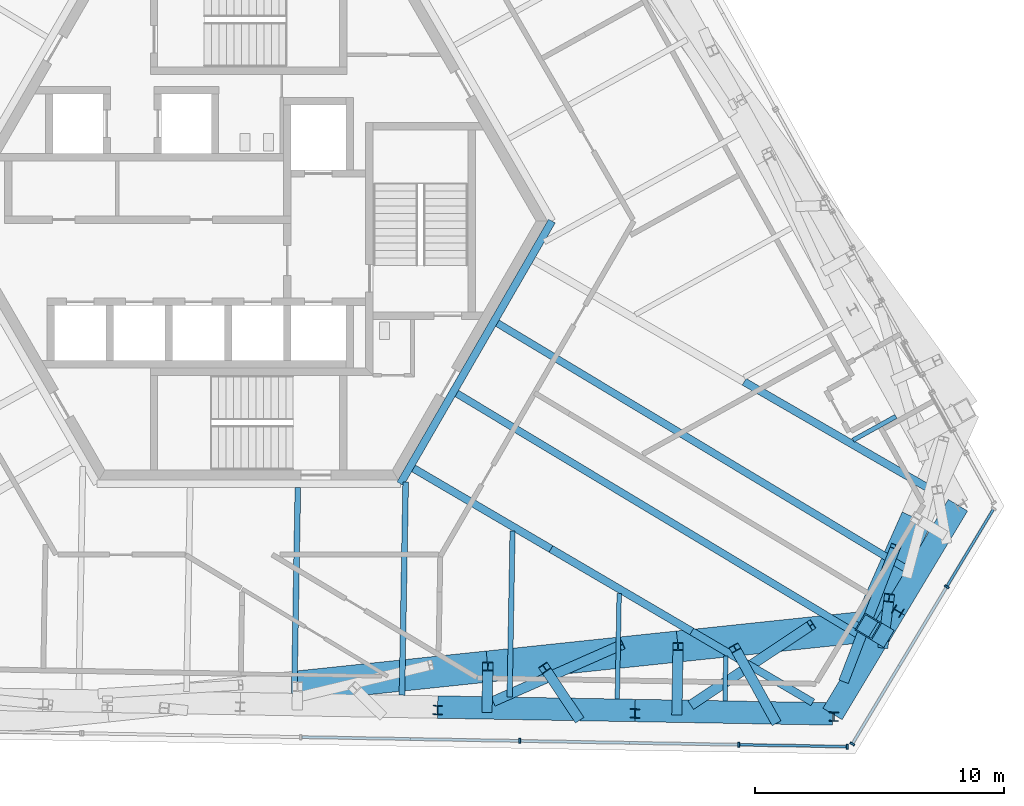
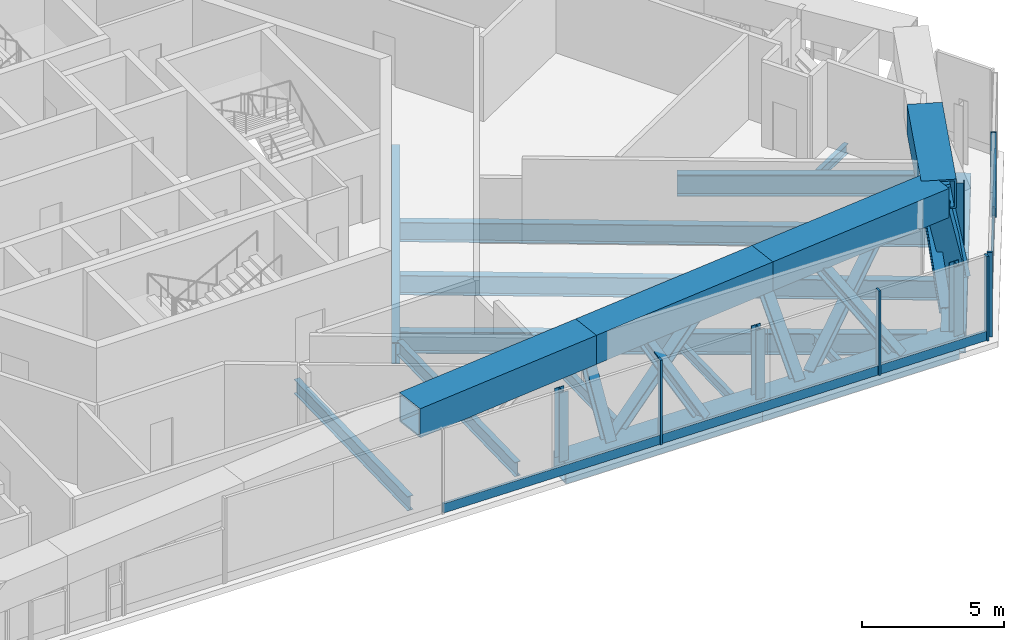
# One storey, part 4 of 28: 31 members, 13 beams, 2 elements without a shape of their own.
"""IFC4 building model written with IfcOpenShell, lengths in metres."""

from ifc_helpers import new_model, si_unit, direction, frame, origin, origin_2d, place, context, subcontext, project, spatial, rectangle, hollow_rectangle, i_section, extrude, source, transform, mapped, material, material_profile, profile_set, type_object, element, aggregate, save


model = new_model("IFC4")

# Units and contexts
model_context = context("Model", 3, precision=1e-05, world=origin(), true_north=direction((0.0, 1.0)))
body_context = subcontext(model_context, "Body", "Model", "MODEL_VIEW")
ifc_project = project(units=[si_unit("LENGTHUNIT", "METRE"), si_unit("AREAUNIT", "SQUARE_METRE"), si_unit("VOLUMEUNIT", "CUBIC_METRE"), si_unit("PLANEANGLEUNIT", "RADIAN"), si_unit("MASSUNIT", "GRAM", prefix="KILO")], contexts=[model_context])

# Site, building, storey
site_placement = place(None, origin())
site = spatial("IfcSite", under=ifc_project, at=site_placement, CompositionType="ELEMENT")
building_placement = place(site_placement, origin())
building = spatial("IfcBuilding", under=site, at=building_placement, Name="Triune Harvest Tower", CompositionType="ELEMENT")
storey_placement = place(building_placement, frame((0.0, 0.0, 215.89990234375)))
storey = spatial("IfcBuildingStorey", under=building, at=storey_placement, Name="L56", CompositionType="ELEMENT", Elevation=215.89990234375)

# Beams
ifc_material_1 = material(Name="Steel ASTM A992 Gr 50", Category="steel")
ifc_material_profile_1 = material_profile(ifc_material_1, i_section(OverallWidth=0.307373046875, OverallDepth=0.922119140625, WebThickness=0.018310546875, FlangeThickness=0.030029296875, at=origin_2d()), Name="W36x182")
ifc_profile_set_1 = profile_set([ifc_material_profile_1], Name="Steel ASTM A992 Gr 50")
beam_type_1 = type_object("IfcBeamType", Name="HG-2 Hip girder W36x182", PredefinedType="BEAM", material=ifc_profile_set_1)
beam_1_placement = place(storey_placement, frame((27.718505859375, -10.969970703125, -0.7109375), z_axis=(-0.866016404628, 0.500015586673, 0.0), x_axis=(-0.500015586673, -0.866016404628, 0.0)))
element("IfcBeam", 1, at=beam_1_placement, inside=storey, type_object=beam_type_1, Name="beam/L56/HG1", PredefinedType="BEAM", context=body_context, shape_type="SweptSolid", body=[
    extrude(i_section(OverallWidth=0.307373046875, OverallDepth=0.922119140625, WebThickness=0.018310546875, FlangeThickness=0.030029296875, at=origin_2d()), origin(), (0.0, 0.0, 1.0), 9.035888671875),
])
beam_2_placement = place(storey_placement, frame((22.6484375, -19.3232421875, -0.7109375), z_axis=(-0.862741007375, 0.50564607602, 0.0), x_axis=(-0.50564607602, -0.862741007375, 0.0)))
element("IfcBeam", 2, at=beam_2_placement, inside=storey, type_object=beam_type_1, Name="beam/L56/HG8", PredefinedType="BEAM", context=body_context, shape_type="SweptSolid", body=[
    extrude(i_section(OverallWidth=0.307373046875, OverallDepth=0.922119140625, WebThickness=0.018310546875, FlangeThickness=0.030029296875, at=origin_2d()), origin(), (0.0, 0.0, 1.0), 5.632080078125),
])

# Member
ifc_material_2 = material(Name="Steel ASTM A992 Gr 50", Category="steel")
ifc_material_profile_2 = material_profile(ifc_material_2, i_section(OverallWidth=0.40380859375, OverallDepth=0.406494140625, WebThickness=0.027099609375, FlangeThickness=0.043701171875, at=origin_2d()), Name="W14x233")
ifc_profile_set_2 = profile_set([ifc_material_profile_2], Name="Steel ASTM A992 Gr 50")
member_type_1 = type_object("IfcMemberType", Name="TD-3 Belt truss diagonal W14x233", PredefinedType="BRACE", material=ifc_profile_set_2)
member_1_placement = place(storey_placement, frame((17.822509765625, -19.388916015625, -0.324951171875), z_axis=(0.750558261675, 0.499231936752, 0.432931598705), x_axis=(-0.553824171358, 0.83263364526, 0.0)))
element("IfcMember", 3, at=member_1_placement, inside=storey, type_object=member_type_1, Name="truss/L56/TD43", PredefinedType="BRACE", context=body_context, shape_type="SweptSolid", body=[
    extrude(i_section(OverallWidth=0.40380859375, OverallDepth=0.406494140625, WebThickness=0.027099609375, FlangeThickness=0.043701171875, at=origin_2d()), origin(), (0.0, 0.0, 1.0), 6.35205078125),
])

# Curtain wall, member
ifc_material_3 = material(Name="Aluminium bronze anodised", Category="aluminium")
curtain_wall_type = type_object("IfcCurtainWallType", Name="CW-5 Plant louvre wall", PredefinedType="NOTDEFINED", material=ifc_material_3)
curtain_wall_1_placement = place(storey_placement, origin())
curtain_wall_1 = element("IfcCurtainWall", 4, at=curtain_wall_1_placement, inside=storey, type_object=curtain_wall_type, Name="CW-5 B5-F5 L56 run 1301")
ifc_material_4 = material(Name="Aluminium bronze anodised", Category="aluminium")
ifc_material_profile_3 = material_profile(ifc_material_4, rectangle(XDim=0.10009765625, YDim=0.39990234375, at=origin_2d()), Name="TR-5 transom 100 x 400")
ifc_profile_set_3 = profile_set([ifc_material_profile_3], Name="Aluminium bronze anodised")
member_type_2 = type_object("IfcMemberType", Name="TR-5 transom 100 x 400", PredefinedType="USERDEFINED", material=ifc_profile_set_3)
member_2_placement = place(storey_placement, frame((19.722412109375, -21.0244140625, 0.2001953125), z_axis=(0.999847456392, -0.017466079903, 0.0), x_axis=(0.017466079903, 0.999847456392, 0.0)))
member_2 = element("IfcMember", 5, at=member_2_placement, type_object=member_type_2, Name="CW-5 transom B5-F5 1301.4", ObjectType="TRANSOM", PredefinedType="USERDEFINED", context=body_context, shape_type="SweptSolid", body=[
    extrude(rectangle(XDim=0.10009765625, YDim=0.39990234375, at=origin_2d()), origin(), (0.0, 0.0, 1.0), 4.27734375),
])

curtain_wall_2_placement = place(storey_placement, origin())
curtain_wall_2 = element("IfcCurtainWall", 6, at=curtain_wall_2_placement, inside=storey, type_object=curtain_wall_type, Name="CW-5 B5-F6 L56 run 1")
member_3_placement = place(storey_placement, frame((24.25634765625, -20.956298828125, 0.2001953125), z_axis=(0.515038138423, 0.85716726254, 0.0), x_axis=(-0.85716726254, 0.515038138423, 0.0)))
member_3 = element("IfcMember", 7, at=member_3_placement, type_object=member_type_2, Name="CW-5 transom B5-F6 1.1", ObjectType="TRANSOM", PredefinedType="USERDEFINED", context=body_context, shape_type="SweptSolid", body=[
    extrude(rectangle(XDim=0.10009765625, YDim=0.39990234375, at=origin_2d()), origin(), (0.0, 0.0, 1.0), 7.280029296875),
])

# Member
ifc_material_5 = material(Name="Steel ASTM A992 Gr 50", Category="steel")
ifc_material_profile_4 = material_profile(ifc_material_5, i_section(OverallWidth=0.411376953125, OverallDepth=0.434326171875, WebThickness=0.035888671875, FlangeThickness=0.057373046875, at=origin_2d()), Name="W14x311")
ifc_profile_set_4 = profile_set([ifc_material_profile_4], Name="Steel ASTM A992 Gr 50")
member_type_3 = type_object("IfcMemberType", Name="TV-1 Belt truss strut W14x311", PredefinedType="STRUT", material=ifc_profile_set_4)
member_4_placement = place(storey_placement, frame((9.572265625, -19.544921875, -0.27490234375), z_axis=(0.009162205954, 0.5243245592, 0.851469207078), x_axis=(-0.999847359332, 0.017471635207, 0.0)))
element("IfcMember", 8, at=member_4_placement, inside=storey, type_object=member_type_3, Name="truss/L56/TS21", PredefinedType="STRUT", context=body_context, shape_type="SweptSolid", body=[
    extrude(i_section(OverallWidth=0.411376953125, OverallDepth=0.434326171875, WebThickness=0.035888671875, FlangeThickness=0.057373046875, at=origin_2d()), origin(), (0.0, 0.0, 1.0), 3.1708984375),
])

# Beams
ifc_material_6 = material(Name="Steel ASTM A992 Gr 50", Category="steel")
ifc_material_profile_5 = material_profile(ifc_material_6, i_section(OverallWidth=0.3046875, OverallDepth=0.914306640625, WebThickness=0.0166015625, FlangeThickness=0.02587890625, at=origin_2d()), Name="W36x160")
ifc_profile_set_5 = profile_set([ifc_material_profile_5], Name="Steel ASTM A992 Gr 50")
beam_type_2 = type_object("IfcBeamType", Name="CG-1 Core ring girder W36x160", PredefinedType="BEAM", material=ifc_profile_set_5)
shared_shape_1 = source(origin(), body_context, "Body", "SweptSolid", [
    extrude(i_section(OverallWidth=0.3046875, OverallDepth=0.914306640625, WebThickness=0.0166015625, FlangeThickness=0.02587890625, at=origin_2d()), origin(), (0.0, 0.0, 1.0), 12.176025390625),
])
beam_3_placement = place(storey_placement, frame((6.087890625, -10.544677734375, -0.70703125), z_axis=(0.5000099932, 0.866019634131, 0.0), x_axis=(-0.866019634131, 0.5000099932, 0.0)))
element("IfcBeam", 9, at=beam_3_placement, inside=storey, type_object=beam_type_2, Name="beam/L56/CG6", PredefinedType="BEAM", context=body_context, shape_type="MappedRepresentation", body=[
    mapped(shared_shape_1, transform((0.0, 0.0, 0.0), scale=1.0)),
])
shared_shape_2 = source(origin(), body_context, "Body", "SweptSolid", [
    extrude(i_section(OverallWidth=0.307373046875, OverallDepth=0.922119140625, WebThickness=0.018310546875, FlangeThickness=0.030029296875, at=origin_2d()), origin(), (0.0, 0.0, 1.0), 6.549560546875),
])
beam_4_placement = place(storey_placement, frame((17.789306640625, -16.475341796875, -0.7109375), z_axis=(-0.862742829324, 0.50564296737, 0.0), x_axis=(-0.50564296737, -0.862742829324, 0.0)))
element("IfcBeam", 10, at=beam_4_placement, inside=storey, type_object=beam_type_1, Name="beam/L56/HG9", PredefinedType="BEAM", context=body_context, shape_type="MappedRepresentation", body=[
    mapped(shared_shape_2, transform((0.0, 0.0, 0.0), scale=1.0)),
])
shared_shape_3 = source(origin(), body_context, "Body", "SweptSolid", [
    extrude(i_section(OverallWidth=0.307373046875, OverallDepth=0.922119140625, WebThickness=0.018310546875, FlangeThickness=0.030029296875, at=origin_2d()), origin(), (0.0, 0.0, 1.0), 6.397216796875),
])
beam_5_placement = place(storey_placement, frame((12.138671875, -13.16357421875, -0.7109375), z_axis=(-0.862754230068, 0.505623514583, 0.0), x_axis=(-0.505623514583, -0.862754230068, 0.0)))
element("IfcBeam", 11, at=beam_5_placement, inside=storey, type_object=beam_type_1, Name="beam/L56/HG10", PredefinedType="BEAM", context=body_context, shape_type="MappedRepresentation", body=[
    mapped(shared_shape_3, transform((0.0, 0.0, 0.0), scale=1.0)),
])
ifc_material_7 = material(Name="Steel ASTM A992 Gr 50", Category="steel")
ifc_material_profile_6 = material_profile(ifc_material_7, i_section(OverallWidth=0.180908203125, OverallDepth=0.41650390625, WebThickness=0.010986328125, FlangeThickness=0.01806640625, at=origin_2d()), Name="W16x57")
ifc_profile_set_6 = profile_set([ifc_material_profile_6], Name="Steel ASTM A992 Gr 50")
beam_type_3 = type_object("IfcBeamType", Name="JT-1 Floor joist W16x57", PredefinedType="JOIST", material=ifc_profile_set_6)
shared_shape_4 = source(origin(), body_context, "Body", "SweptSolid", [
    extrude(i_section(OverallWidth=0.180908203125, OverallDepth=0.41650390625, WebThickness=0.010986328125, FlangeThickness=0.01806640625, at=origin_2d()), origin(), (0.0, 0.0, 1.0), 1.96875),
])
beam_6_placement = place(storey_placement, frame((25.9853515625, -7.84326171875, -0.458251953125), z_axis=(-0.874648192243, -0.484758228198, 0.0), x_axis=(0.484758228198, -0.874648192243, 0.0)))
element("IfcBeam", 12, at=beam_6_placement, inside=storey, type_object=beam_type_3, Name="beam/L56/JT1", PredefinedType="JOIST", context=body_context, shape_type="MappedRepresentation", body=[
    mapped(shared_shape_4, transform((0.0, 0.0, 0.0), scale=1.0)),
])
ifc_material_8 = material(Name="Steel ASTM A992 Gr 50", Category="steel")
ifc_material_profile_7 = material_profile(ifc_material_8, i_section(OverallWidth=0.22900390625, OverallDepth=0.612060546875, WebThickness=0.011962890625, FlangeThickness=0.01953125, at=origin_2d()), Name="W24x84")
ifc_profile_set_7 = profile_set([ifc_material_profile_7], Name="Steel ASTM A992 Gr 50")
beam_type_4 = type_object("IfcBeamType", Name="JT-3 Floor joist W24x84", PredefinedType="JOIST", material=ifc_profile_set_7)
shared_shape_5 = source(origin(), body_context, "Body", "SweptSolid", [
    extrude(i_section(OverallWidth=0.22900390625, OverallDepth=0.612060546875, WebThickness=0.011962890625, FlangeThickness=0.01953125, at=origin_2d()), origin(), (0.0, 0.0, 1.0), 8.263916015625),
])
beam_7_placement = place(storey_placement, frame((1.831298828125, -18.959716796875, -0.555908203125), z_axis=(0.017459813007, 0.999847565847, 0.0), x_axis=(-0.999847565847, 0.017459813007, 0.0)))
element("IfcBeam", 13, at=beam_7_placement, inside=storey, type_object=beam_type_4, Name="beam/L56/JT30", PredefinedType="JOIST", context=body_context, shape_type="MappedRepresentation", body=[
    mapped(shared_shape_5, transform((0.0, 0.0, 0.0), scale=1.0)),
])
shared_shape_6 = source(origin(), body_context, "Body", "SweptSolid", [
    extrude(i_section(OverallWidth=0.22900390625, OverallDepth=0.612060546875, WebThickness=0.011962890625, FlangeThickness=0.01953125, at=origin_2d()), origin(), (0.0, 0.0, 1.0), 8.561279296875),
])
beam_8_placement = place(storey_placement, frame((6.154541015625, -19.035400390625, -0.555908203125), z_axis=(0.017480643852, 0.999847201872, 0.0), x_axis=(-0.999847201872, 0.017480643852, 0.0)))
element("IfcBeam", 14, at=beam_8_placement, inside=storey, type_object=beam_type_4, Name="beam/L56/JT31", PredefinedType="JOIST", context=body_context, shape_type="MappedRepresentation", body=[
    mapped(shared_shape_6, transform((0.0, 0.0, 0.0), scale=1.0)),
])
shared_shape_7 = source(origin(), body_context, "Body", "SweptSolid", [
    extrude(i_section(OverallWidth=0.180908203125, OverallDepth=0.41650390625, WebThickness=0.010986328125, FlangeThickness=0.01806640625, at=origin_2d()), origin(), (0.0, 0.0, 1.0), 1.807373046875),
])
beam_9_placement = place(storey_placement, frame((19.12451171875, -19.26171875, -0.458251953125), z_axis=(0.017425076218, 0.999848171834, 0.0), x_axis=(-0.999848171834, 0.017425076218, 0.0)))
element("IfcBeam", 15, at=beam_9_placement, inside=storey, type_object=beam_type_3, Name="beam/L56/JT34", PredefinedType="JOIST", context=body_context, shape_type="MappedRepresentation", body=[
    mapped(shared_shape_7, transform((0.0, 0.0, 0.0), scale=1.0)),
])
ifc_material_9 = material(Name="Steel ASTM A992 Gr 50", Category="steel")
ifc_material_profile_8 = material_profile(ifc_material_9, i_section(OverallWidth=0.2919921875, OverallDepth=0.8408203125, WebThickness=0.0146484375, FlangeThickness=0.021728515625, at=origin_2d()), Name="W33x130")
ifc_profile_set_8 = profile_set([ifc_material_profile_8], Name="Steel ASTM A992 Gr 50")
beam_type_5 = type_object("IfcBeamType", Name="JT-6 Floor joist W33x130", PredefinedType="JOIST", material=ifc_profile_set_8)
shared_shape_8 = source(origin(), body_context, "Body", "SweptSolid", [
    extrude(i_section(OverallWidth=0.2919921875, OverallDepth=0.8408203125, WebThickness=0.0146484375, FlangeThickness=0.021728515625, at=origin_2d()), origin(), (0.0, 0.0, 1.0), 19.10595703125),
])
beam_10_placement = place(storey_placement, frame((24.732666015625, -16.761962890625, -0.67041015625), z_axis=(-0.857165779386, 0.515040606797, 0.0), x_axis=(-0.515040606797, -0.857165779386, 0.0)))
element("IfcBeam", 16, at=beam_10_placement, inside=storey, type_object=beam_type_5, Name="beam/L56/JT35", PredefinedType="JOIST", context=body_context, shape_type="MappedRepresentation", body=[
    mapped(shared_shape_8, transform((0.0, 0.0, 0.0), scale=1.0)),
])
ifc_material_10 = material(Name="Steel ASTM A992 Gr 50", Category="steel")
ifc_material_profile_9 = material_profile(ifc_material_10, i_section(OverallWidth=0.2099609375, OverallDepth=0.535888671875, WebThickness=0.010986328125, FlangeThickness=0.017333984375, at=origin_2d()), Name="W21x68")
ifc_profile_set_9 = profile_set([ifc_material_profile_9], Name="Steel ASTM A992 Gr 50")
beam_type_6 = type_object("IfcBeamType", Name="JT-2 Floor joist W21x68", PredefinedType="JOIST", material=ifc_profile_set_9)
shared_shape_9 = source(origin(), body_context, "Body", "SweptSolid", [
    extrude(i_section(OverallWidth=0.2099609375, OverallDepth=0.535888671875, WebThickness=0.010986328125, FlangeThickness=0.017333984375, at=origin_2d()), origin(), (0.0, 0.0, 1.0), 6.675048828125),
])
beam_11_placement = place(storey_placement, frame((10.477783203125, -19.11083984375, -0.517822265625), z_axis=(0.017482786867, 0.999847164402, 0.0), x_axis=(-0.999847164402, 0.017482786867, 0.0)))
element("IfcBeam", 17, at=beam_11_placement, inside=storey, type_object=beam_type_6, Name="beam/L56/JT32", PredefinedType="JOIST", context=body_context, shape_type="MappedRepresentation", body=[
    mapped(shared_shape_9, transform((0.0, 0.0, 0.0), scale=1.0)),
])
shared_shape_10 = source(origin(), body_context, "Body", "SweptSolid", [
    extrude(i_section(OverallWidth=0.180908203125, OverallDepth=0.41650390625, WebThickness=0.010986328125, FlangeThickness=0.01806640625, at=origin_2d()), origin(), (0.0, 0.0, 1.0), 4.241455078125),
])
beam_12_placement = place(storey_placement, frame((14.80126953125, -19.186279296875, -0.458251953125), z_axis=(0.01744121536, 0.999847890435, 0.0), x_axis=(-0.999847890435, 0.01744121536, 0.0)))
element("IfcBeam", 18, at=beam_12_placement, inside=storey, type_object=beam_type_3, Name="beam/L56/JT33", PredefinedType="JOIST", context=body_context, shape_type="MappedRepresentation", body=[
    mapped(shared_shape_10, transform((0.0, 0.0, 0.0), scale=1.0)),
])
shared_shape_11 = source(origin(), body_context, "Body", "SweptSolid", [
    extrude(i_section(OverallWidth=0.2919921875, OverallDepth=0.8408203125, WebThickness=0.0146484375, FlangeThickness=0.021728515625, at=origin_2d()), origin(), (0.0, 0.0, 1.0), 19.16259765625),
])
beam_13_placement = place(storey_placement, frame((26.4111328125, -13.968505859375, -0.67041015625), z_axis=(-0.85716337241, 0.515044612629, 0.0), x_axis=(-0.515044612629, -0.85716337241, 0.0)))
element("IfcBeam", 19, at=beam_13_placement, inside=storey, type_object=beam_type_5, Name="beam/L56/JT36", PredefinedType="JOIST", context=body_context, shape_type="MappedRepresentation", body=[
    mapped(shared_shape_11, transform((0.0, 0.0, 0.0), scale=1.0)),
])

# Members
ifc_material_11 = material(Name="Steel ASTM A992 Gr 50", Category="steel")
ifc_material_profile_10 = material_profile(ifc_material_11, i_section(OverallWidth=0.370849609375, OverallDepth=0.36328125, WebThickness=0.013427734375, FlangeThickness=0.021728515625, at=origin_2d()), Name="W14x109")
ifc_profile_set_10 = profile_set([ifc_material_profile_10], Name="Steel ASTM A992 Gr 50")
member_type_4 = type_object("IfcMemberType", Name="WP-5 Roof edge post W14x109", PredefinedType="POST", material=ifc_profile_set_10)
shared_shape_12 = source(origin(), body_context, "Body", "SweptSolid", [
    extrude(i_section(OverallWidth=0.370849609375, OverallDepth=0.36328125, WebThickness=0.013427734375, FlangeThickness=0.021728515625, at=origin_2d()), origin(), (0.0, 0.0, 1.0), 2.9755859375),
])
for number, where, z_axis, x_axis, name in (
    (20, (7.585693359375, -19.63037109375, -0.25), (0.0, 0.0, 1.0), (0.999847695156, -0.017452406437, 0.0), "post/L56/W20"),
    (21, (15.51171875, -19.768798828125, -0.25), (0.0, 0.0, 1.0), (0.999847695156, -0.017452406437, 0.0), "post/L56/W21"),
    (22, (23.498046875, -19.89208984375, -0.25), (0.0, 0.0, 1.0), (0.999847695156, -0.017452406437, 0.0), "post/L56/W22"),
    (23, (26.060546875, -15.65869140625, -0.25), (0.0, 0.0, 1.0), (0.515039570948, 0.85716640179, 0.0), "post/L56/W23"),
):
    element("IfcMember", number, at=place(storey_placement, frame(where, z_axis=z_axis, x_axis=x_axis)), inside=storey, type_object=member_type_4, Name=name, PredefinedType="POST", context=body_context, shape_type="MappedRepresentation", body=[
        mapped(shared_shape_12, transform((0.0, 0.0, 0.0), scale=1.0)),
    ])
ifc_material_12 = material(Name="Steel ASTM A572 Gr 50", Category="steel")
ifc_material_profile_11 = material_profile(ifc_material_12, hollow_rectangle(XDim=0.89990234375, YDim=0.89990234375, WallThickness=0.050048828125, at=origin_2d()), Name="Box 900x900x50")
ifc_profile_set_11 = profile_set([ifc_material_profile_11], Name="Steel ASTM A572 Gr 50")
member_type_5 = type_object("IfcMemberType", Name="TC-2 Belt truss chord Box 900x900x50", PredefinedType="CHORD", material=ifc_profile_set_11)
shared_shape_13 = source(origin(), body_context, "Body", "SweptSolid", [
    extrude(hollow_rectangle(XDim=0.89990234375, YDim=0.89990234375, WallThickness=0.050048828125, at=origin_2d()), origin(), (0.0, 0.0, 1.0), 7.92724609375),
])
for number, where, z_axis, x_axis, name in (
    (24, (7.587890625, -19.510498046875, -0.699951171875), (0.999848059671, -0.017431510912, 0.0), (0.017431510912, 0.999848059671, 0.0), "truss/L56/TCB21"),
    (25, (15.513916015625, -19.648681640625, -0.699951171875), (0.999847522428, -0.017462299252, 0.0), (0.017462299252, 0.999847522428, 0.0), "truss/L56/TCB22"),
):
    element("IfcMember", number, at=place(storey_placement, frame(where, z_axis=z_axis, x_axis=x_axis)), inside=storey, type_object=member_type_5, Name=name, PredefinedType="CHORD", context=body_context, shape_type="MappedRepresentation", body=[
        mapped(shared_shape_13, transform((0.0, 0.0, 0.0), scale=1.0)),
    ])
shared_shape_14 = source(origin(), body_context, "Body", "SweptSolid", [
    extrude(hollow_rectangle(XDim=0.89990234375, YDim=0.89990234375, WallThickness=0.050048828125, at=origin_2d()), origin(), (0.0, 0.0, 1.0), 4.888427734375),
])
for number, where, z_axis, x_axis, name in (
    (26, (23.43994140625, -19.787109375, -0.699951171875), (0.515017128942, 0.857179885961, 0.0), (-0.857179885961, 0.515017128942, 0.0), "truss/L56/TCB23"),
    (27, (25.95751953125, -15.596923828125, -0.699951171875), (0.515053823863, 0.85715783758, 0.0), (-0.85715783758, 0.515053823863, 0.0), "truss/L56/TCB24"),
):
    element("IfcMember", number, at=place(storey_placement, frame(where, z_axis=z_axis, x_axis=x_axis)), inside=storey, type_object=member_type_5, Name=name, PredefinedType="CHORD", context=body_context, shape_type="MappedRepresentation", body=[
        mapped(shared_shape_14, transform((0.0, 0.0, 0.0), scale=1.0)),
    ])
ifc_material_13 = material(Name="Steel ASTM A572 Gr 50", Category="steel")
ifc_material_profile_12 = material_profile(ifc_material_13, hollow_rectangle(XDim=1.25, YDim=1.25, WallThickness=0.070068359375, at=origin_2d()), Name="Box 1250x1250x70")
ifc_profile_set_12 = profile_set([ifc_material_profile_12], Name="Steel ASTM A572 Gr 50")
member_type_6 = type_object("IfcMemberType", Name="TC-1 Belt truss chord Box 1250x1250x70", PredefinedType="CHORD", material=ifc_profile_set_12)
shared_shape_15 = source(origin(), body_context, "Body", "SweptSolid", [
    extrude(hollow_rectangle(XDim=1.25, YDim=1.25, WallThickness=0.070068359375, at=origin_2d()), origin(), (0.0, 0.0, 1.0), 7.679443359375),
])
for number, where, z_axis, x_axis, name in (
    (28, (1.9638671875, -18.68505859375, 3.01513671875), (0.994521815363, 0.104529224464, 0.0), (-0.104529224464, 0.994521815363, 0.0), "truss/L56/TCT20"),
    (29, (17.238525390625, -17.07958984375, 3.01513671875), (0.994521815363, 0.104529224464, 0.0), (-0.104529224464, 0.994521815363, 0.0), "truss/L56/TCT22"),
):
    element("IfcMember", number, at=place(storey_placement, frame(where, z_axis=z_axis, x_axis=x_axis)), inside=storey, type_object=member_type_6, Name=name, PredefinedType="CHORD", context=body_context, shape_type="MappedRepresentation", body=[
        mapped(shared_shape_15, transform((0.0, 0.0, 0.0), scale=1.0)),
    ])
shared_shape_16 = source(origin(), body_context, "Body", "SweptSolid", [
    extrude(hollow_rectangle(XDim=1.25, YDim=1.25, WallThickness=0.070068359375, at=origin_2d()), origin(), (0.0, 0.0, 1.0), 4.751708984375),
])
member_5_placement = place(storey_placement, frame((24.8759765625, -16.27685546875, 3.01513671875), z_axis=(0.406729523831, 0.913548627301, 0.0), x_axis=(-0.913548627301, 0.406729523831, 0.0)))
element("IfcMember", 30, at=member_5_placement, inside=storey, type_object=member_type_6, Name="truss/L56/TCT23", PredefinedType="CHORD", context=body_context, shape_type="MappedRepresentation", body=[
    mapped(shared_shape_16, transform((0.0, 0.0, 0.0), scale=1.0)),
])
shared_shape_17 = source(origin(), body_context, "Body", "SweptSolid", [
    extrude(hollow_rectangle(XDim=1.25, YDim=1.25, WallThickness=0.070068359375, at=origin_2d()), origin(), (0.0, 0.0, 1.0), 7.67919921875),
])
member_6_placement = place(storey_placement, frame((9.601318359375, -17.88232421875, 3.01513671875), z_axis=(0.994521467985, 0.104532529465, 0.0), x_axis=(-0.104532529465, 0.994521467985, 0.0)))
element("IfcMember", 31, at=member_6_placement, inside=storey, type_object=member_type_6, Name="truss/L56/TCT21", PredefinedType="CHORD", context=body_context, shape_type="MappedRepresentation", body=[
    mapped(shared_shape_17, transform((0.0, 0.0, 0.0), scale=1.0)),
])
ifc_material_14 = material(Name="Steel ASTM A572 Gr 50", Category="steel")
ifc_material_profile_13 = material_profile(ifc_material_14, hollow_rectangle(XDim=0.800048828125, YDim=0.800048828125, WallThickness=0.050048828125, at=origin_2d()), Name="Box 800x800x50")
ifc_profile_set_13 = profile_set([ifc_material_profile_13], Name="Steel ASTM A572 Gr 50")
member_type_7 = type_object("IfcMemberType", Name="TS-2 Belt truss raked strut Box 800x800x50", PredefinedType="STRUT", material=ifc_profile_set_13)
shared_shape_18 = source(origin(), body_context, "Body", "SweptSolid", [
    extrude(hollow_rectangle(XDim=0.800048828125, YDim=0.800048828125, WallThickness=0.050048828125, at=origin_2d()), origin(), (0.0, 0.0, 1.0), 2.760986328125),
])
member_7_placement = place(storey_placement, frame((25.37060546875, -16.573974609375, -0.27490234375), z_axis=(-0.179153717135, 0.107616028506, 0.97791755074), x_axis=(-0.514931248863, -0.857231479208, 0.0)))
element("IfcMember", 32, at=member_7_placement, inside=storey, type_object=member_type_7, Name="truss/L56/TS23", PredefinedType="STRUT", context=body_context, shape_type="MappedRepresentation", body=[
    mapped(shared_shape_18, transform((0.0, 0.0, 0.0), scale=1.0)),
])
shared_shape_19 = source(origin(), body_context, "Body", "SweptSolid", [
    extrude(i_section(OverallWidth=0.411376953125, OverallDepth=0.434326171875, WebThickness=0.035888671875, FlangeThickness=0.057373046875, at=origin_2d()), origin(), (0.0, 0.0, 1.0), 3.74755859375),
])
member_8_placement = place(storey_placement, frame((17.193115234375, -19.677978515625, -0.27490234375), z_axis=(0.012117597462, 0.693374138633, 0.720475861988), x_axis=(-0.999847324869, 0.017473607294, 0.0)))
element("IfcMember", 33, at=member_8_placement, inside=storey, type_object=member_type_3, Name="truss/L56/TS22", PredefinedType="STRUT", context=body_context, shape_type="MappedRepresentation", body=[
    mapped(shared_shape_19, transform((0.0, 0.0, 0.0), scale=1.0)),
])
shared_shape_20 = source(origin(), body_context, "Body", "SweptSolid", [
    extrude(i_section(OverallWidth=0.40380859375, OverallDepth=0.406494140625, WebThickness=0.027099609375, FlangeThickness=0.043701171875, at=origin_2d()), origin(), (0.0, 0.0, 1.0), 6.172607421875),
])
member_9_placement = place(storey_placement, frame((9.896484375, -19.25048828125, -0.324951171875), z_axis=(0.819139225988, 0.361275600685, 0.445523140586), x_axis=(-0.403537960374, 0.914962903367, 0.0)))
element("IfcMember", 34, at=member_9_placement, inside=storey, type_object=member_type_1, Name="truss/L56/TD41", PredefinedType="BRACE", context=body_context, shape_type="MappedRepresentation", body=[
    mapped(shared_shape_20, transform((0.0, 0.0, 0.0), scale=1.0)),
])
shared_shape_21 = source(origin(), body_context, "Body", "SweptSolid", [
    extrude(i_section(OverallWidth=0.40380859375, OverallDepth=0.406494140625, WebThickness=0.027099609375, FlangeThickness=0.043701171875, at=origin_2d()), origin(), (0.0, 0.0, 1.0), 3.62890625),
])
member_10_placement = place(storey_placement, frame((13.205078125, -19.908447265625, -0.324951171875), z_axis=(-0.363165185035, 0.542056668364, 0.75781634758), x_axis=(-0.830779037318, -0.55660236359, 0.0)))
element("IfcMember", 35, at=member_10_placement, inside=storey, type_object=member_type_1, Name="truss/L56/TD42", PredefinedType="BRACE", context=body_context, shape_type="MappedRepresentation", body=[
    mapped(shared_shape_21, transform((0.0, 0.0, 0.0), scale=1.0)),
])
shared_shape_22 = source(origin(), body_context, "Body", "SweptSolid", [
    extrude(i_section(OverallWidth=0.40380859375, OverallDepth=0.406494140625, WebThickness=0.027099609375, FlangeThickness=0.043701171875, at=origin_2d()), origin(), (0.0, 0.0, 1.0), 4.312744140625),
])
member_11_placement = place(storey_placement, frame((21.131103515625, -20.046875, -0.324951171875), z_axis=(-0.372477457743, 0.674308735051, 0.637627064441), x_axis=(-0.875333208175, -0.483520190547, 0.0)))
element("IfcMember", 36, at=member_11_placement, inside=storey, type_object=member_type_1, Name="truss/L56/TD44", PredefinedType="BRACE", context=body_context, shape_type="MappedRepresentation", body=[
    mapped(shared_shape_22, transform((0.0, 0.0, 0.0), scale=1.0)),
])
shared_shape_23 = source(origin(), body_context, "Body", "SweptSolid", [
    extrude(i_section(OverallWidth=0.40380859375, OverallDepth=0.406494140625, WebThickness=0.027099609375, FlangeThickness=0.043701171875, at=origin_2d()), origin(), (0.0, 0.0, 1.0), 6.337158203125),
])
member_12_placement = place(storey_placement, frame((23.9169921875, -18.41064453125, -0.324951171875), z_axis=(0.32422620658, 0.840576473547, 0.433945341126), x_axis=(-0.933000222611, 0.359875790526, 0.0)))
element("IfcMember", 37, at=member_12_placement, inside=storey, type_object=member_type_1, Name="truss/L56/TD45", PredefinedType="BRACE", context=body_context, shape_type="MappedRepresentation", body=[
    mapped(shared_shape_23, transform((0.0, 0.0, 0.0), scale=1.0)),
])
shared_shape_24 = source(origin(), body_context, "Body", "SweptSolid", [
    extrude(i_section(OverallWidth=0.40380859375, OverallDepth=0.406494140625, WebThickness=0.027099609375, FlangeThickness=0.043701171875, at=origin_2d()), origin(), (0.0, 0.0, 1.0), 3.3193359375),
])
member_13_placement = place(storey_placement, frame((25.480712890625, -16.973388671875, -0.324951171875), z_axis=(0.069948216874, 0.555613911953, 0.828492865268), x_axis=(-0.992168376654, 0.124907615329, 0.0)))
element("IfcMember", 38, at=member_13_placement, inside=storey, type_object=member_type_1, Name="truss/L56/TD46", PredefinedType="BRACE", context=body_context, shape_type="MappedRepresentation", body=[
    mapped(shared_shape_24, transform((0.0, 0.0, 0.0), scale=1.0)),
])

# Member
ifc_material_15 = material(Name="Aluminium bronze anodised", Category="aluminium")
ifc_material_profile_14 = material_profile(ifc_material_15, rectangle(XDim=0.199951171875, YDim=0.080078125, at=origin_2d()), Name="MU-5 mullion 80 x 200")
ifc_profile_set_14 = profile_set([ifc_material_profile_14], Name="Aluminium bronze anodised")
member_type_8 = type_object("IfcMemberType", Name="MU-5 mullion 80 x 200", PredefinedType="MULLION", material=ifc_profile_set_14)
shared_shape_25 = source(origin(), body_context, "Body", "SweptSolid", [
    extrude(rectangle(XDim=0.199951171875, YDim=0.080078125, at=origin_2d()), origin(), (0.0, 0.0, 1.0), 3.64013671875),
])
member_14_placement = place(storey_placement, frame((10.8896484375, -20.870361328125, 0.0), z_axis=(0.0, 0.0, 1.0), x_axis=(0.017449877038, 0.999847739304, 0.0)))
member_14 = element("IfcMember", 39, at=member_14_placement, type_object=member_type_8, Name="CW-5 mullion B5-F5 1301.5", PredefinedType="MULLION", context=body_context, shape_type="MappedRepresentation", body=[
    mapped(shared_shape_25, transform((0.0, 0.0, 0.0), scale=1.0)),
])

member_15_placement = place(storey_placement, frame((19.682373046875, -21.023681640625, 0.0), z_axis=(0.0, 0.0, 1.0), x_axis=(0.017449877038, 0.999847739304, 0.0)))
member_15 = element("IfcMember", 40, at=member_15_placement, type_object=member_type_8, Name="CW-5 mullion B5-F5 1301.7", PredefinedType="MULLION", context=body_context, shape_type="MappedRepresentation", body=[
    mapped(shared_shape_25, transform((0.0, 0.0, 0.0), scale=1.0)),
])

member_16_placement = place(storey_placement, frame((24.038818359375, -21.099853515625, 0.0), z_axis=(0.0, 0.0, 1.0), x_axis=(0.017449877038, 0.999847739304, 0.0)))
member_16 = element("IfcMember", 41, at=member_16_placement, type_object=member_type_8, Name="CW-5 mullion B5-F5 1301.8", PredefinedType="MULLION", context=body_context, shape_type="MappedRepresentation", body=[
    mapped(shared_shape_25, transform((0.0, 0.0, 0.0), scale=1.0)),
])

member_17_placement = place(storey_placement, frame((24.23583984375, -20.99072265625, 0.0), z_axis=(0.0, 0.0, 1.0), x_axis=(-0.857168135313, 0.515036685882, 0.0)))
member_17 = element("IfcMember", 42, at=member_17_placement, type_object=member_type_8, Name="CW-5 mullion B5-F6 1.1", PredefinedType="MULLION", context=body_context, shape_type="MappedRepresentation", body=[
    mapped(shared_shape_25, transform((0.0, 0.0, 0.0), scale=1.0)),
])

member_18_placement = place(storey_placement, frame((28.026611328125, -14.681884765625, 0.0), z_axis=(0.0, 0.0, 1.0), x_axis=(-0.857168135313, 0.515036685882, 0.0)))
member_18 = element("IfcMember", 43, at=member_18_placement, type_object=member_type_8, Name="CW-5 mullion B5-F6 1.3", PredefinedType="MULLION", context=body_context, shape_type="MappedRepresentation", body=[
    mapped(shared_shape_25, transform((0.0, 0.0, 0.0), scale=1.0)),
])

shared_shape_26 = source(origin(), body_context, "Body", "SweptSolid", [
    extrude(rectangle(XDim=0.10009765625, YDim=0.39990234375, at=origin_2d()), origin(), (0.0, 0.0, 1.0), 3.580078125),
])
member_19_placement = place(storey_placement, frame((28.047119140625, -14.6474609375, 0.2001953125), z_axis=(0.515077300821, 0.857143730176, 0.0), x_axis=(-0.857143730176, 0.515077300821, 0.0)))
member_19 = element("IfcMember", 44, at=member_19_placement, type_object=member_type_2, Name="CW-5 transom B5-F6 1.2", ObjectType="TRANSOM", PredefinedType="USERDEFINED", context=body_context, shape_type="MappedRepresentation", body=[
    mapped(shared_shape_26, transform((0.0, 0.0, 0.0), scale=1.0)),
])

aggregate(curtain_wall_2, [member_17, member_18, member_3, member_19])

shared_shape_27 = source(origin(), body_context, "Body", "SweptSolid", [
    extrude(rectangle(XDim=0.10009765625, YDim=0.39990234375, at=origin_2d()), origin(), (0.0, 0.0, 1.0), 8.714111328125),
])
member_20_placement = place(storey_placement, frame((2.13671875, -20.717529296875, 0.2001953125), z_axis=(0.999847664041, -0.017454188935, 0.0), x_axis=(0.017454188935, 0.999847664041, 0.0)))
member_20 = element("IfcMember", 45, at=member_20_placement, type_object=member_type_2, Name="CW-5 transom B5-F5 1301.2", ObjectType="TRANSOM", PredefinedType="USERDEFINED", context=body_context, shape_type="MappedRepresentation", body=[
    mapped(shared_shape_27, transform((0.0, 0.0, 0.0), scale=1.0)),
])

member_21_placement = place(storey_placement, frame((10.9296875, -20.87109375, 0.2001953125), z_axis=(0.999847664041, -0.017454188935, 0.0), x_axis=(0.017454188935, 0.999847664041, 0.0)))
member_21 = element("IfcMember", 46, at=member_21_placement, type_object=member_type_2, Name="CW-5 transom B5-F5 1301.3", ObjectType="TRANSOM", PredefinedType="USERDEFINED", context=body_context, shape_type="MappedRepresentation", body=[
    mapped(shared_shape_27, transform((0.0, 0.0, 0.0), scale=1.0)),
])

aggregate(curtain_wall_1, [member_14, member_15, member_16, member_20, member_21, member_2])

save(model, "model.ifc")
